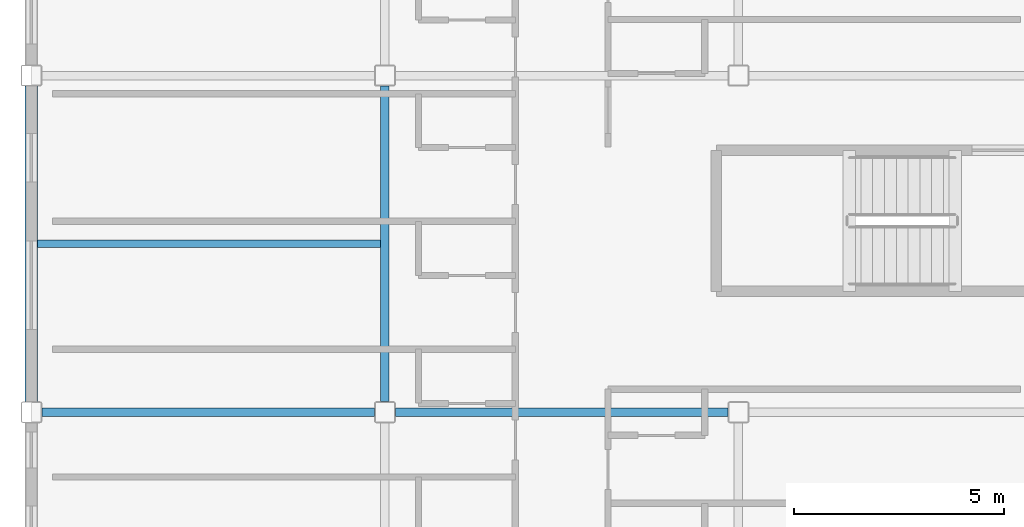
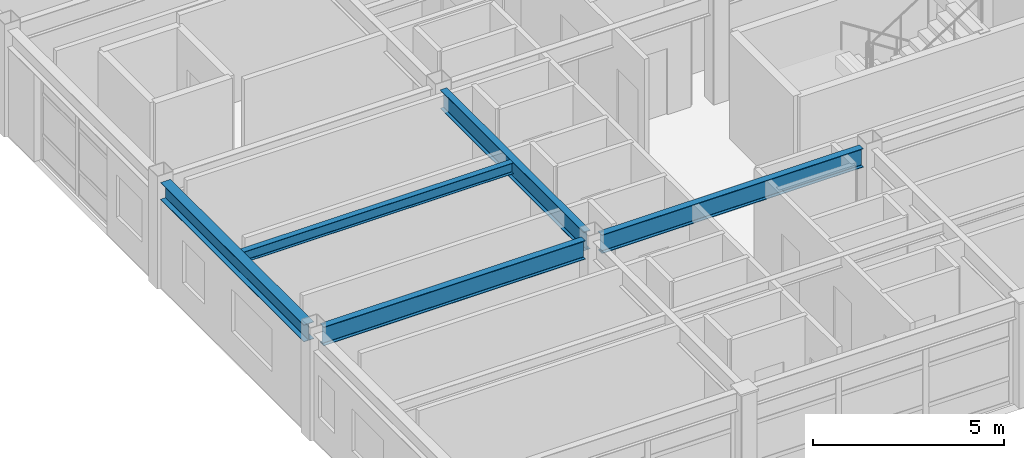
# One storey, part 5 of 33: 5 beams.
"""IFC4 building model written with IfcOpenShell, lengths in metres."""

from ifc_helpers import new_model, si_unit, direction, frame, origin, origin_2d, place, context, subcontext, project, spatial, i_section, extrude, material, material_profile, profile_set, type_object, element, save


model = new_model("IFC4")

# Units and contexts
model_context = context("Model", 3, precision=1e-05, world=origin(), true_north=direction((0.0, 1.0)))
body_context = subcontext(model_context, "Body", "Model", "MODEL_VIEW")
ifc_project = project(units=[si_unit("LENGTHUNIT", "METRE"), si_unit("AREAUNIT", "SQUARE_METRE"), si_unit("VOLUMEUNIT", "CUBIC_METRE"), si_unit("PLANEANGLEUNIT", "RADIAN"), si_unit("MASSUNIT", "GRAM", prefix="KILO")], contexts=[model_context])

# Site, building, storey
site_placement = place(None, origin())
site = spatial("IfcSite", under=ifc_project, at=site_placement, CompositionType="ELEMENT")
building_placement = place(site_placement, origin())
building = spatial("IfcBuilding", under=site, at=building_placement, Name="Kazehara Bluff Congress Hotel", CompositionType="ELEMENT")
storey_placement = place(building_placement, frame((0.0, 0.0, 39.0)))
storey = spatial("IfcBuildingStorey", under=building, at=storey_placement, Name="L09", CompositionType="ELEMENT", Elevation=39.0)

# Beams
ifc_material_1 = material(Name="Steel SN490B", Category="steel")
ifc_material_profile_1 = material_profile(ifc_material_1, i_section(OverallWidth=0.199951171875, OverallDepth=0.60009765625, WebThickness=0.010986328125, FlangeThickness=0.01708984375, FilletRadius=0.012939453125, at=origin_2d()))
ifc_profile_set_1 = profile_set([ifc_material_profile_1], Name="Steel SN490B")
beam_type_1 = type_object("IfcBeamType", Name="TP-G-02", PredefinedType="BEAM", material=ifc_profile_set_1)
beam_1_placement = place(storey_placement, frame((152.10009765625, 16.25, 3.080078125), z_axis=(0.0, 1.0, 0.0), x_axis=(-1.0, 0.0, 0.0)))
element("IfcBeam", 1, at=beam_1_placement, inside=storey, type_object=beam_type_1, Name="L09 girder G-02 12", PredefinedType="BEAM", context=body_context, shape_type="SweptSolid", body=[
    extrude(i_section(OverallWidth=0.199951171875, OverallDepth=0.60009765625, WebThickness=0.010986328125, FlangeThickness=0.01708984375, FilletRadius=0.012939453125, at=origin_2d()), origin(), (0.0, 0.0, 1.0), 7.5),
])
beam_2_placement = place(storey_placement, frame((143.949951171875, 16.0, 3.080078125), z_axis=(1.0, 0.0, 0.0), x_axis=(0.0, 1.0, 0.0)))
element("IfcBeam", 2, at=beam_2_placement, inside=storey, type_object=beam_type_1, Name="L09 girder G-02 39", PredefinedType="BEAM", context=body_context, shape_type="SweptSolid", body=[
    extrude(i_section(OverallWidth=0.199951171875, OverallDepth=0.60009765625, WebThickness=0.010986328125, FlangeThickness=0.01708984375, FilletRadius=0.012939453125, at=origin_2d()), origin(), (0.0, 0.0, 1.0), 7.900146484375),
])
beam_3_placement = place(storey_placement, frame((152.35009765625, 16.0, 3.080078125), z_axis=(1.0, 0.0, 0.0), x_axis=(0.0, 1.0, 0.0)))
element("IfcBeam", 3, at=beam_3_placement, inside=storey, type_object=beam_type_1, Name="L09 girder G-02 40", PredefinedType="BEAM", context=body_context, shape_type="SweptSolid", body=[
    extrude(i_section(OverallWidth=0.199951171875, OverallDepth=0.60009765625, WebThickness=0.010986328125, FlangeThickness=0.01708984375, FilletRadius=0.012939453125, at=origin_2d()), origin(), (0.0, 0.0, 1.0), 7.89990234375),
])
ifc_material_2 = material(Name="Steel SN400B", Category="steel")
ifc_material_profile_2 = material_profile(ifc_material_2, i_section(OverallWidth=0.175048828125, OverallDepth=0.35009765625, WebThickness=0.007080078125, FlangeThickness=0.010986328125, FilletRadius=0.012939453125, at=origin_2d()))
ifc_profile_set_2 = profile_set([ifc_material_profile_2], Name="Steel SN400B")
beam_type_2 = type_object("IfcBeamType", Name="TP-J-02", PredefinedType="JOIST", material=ifc_profile_set_2)
beam_4_placement = place(storey_placement, frame((143.85009765625, 20.0, 3.205078125), z_axis=(1.0, 0.0, 0.0), x_axis=(0.0, 1.0, 0.0)))
element("IfcBeam", 4, at=beam_4_placement, inside=storey, type_object=beam_type_2, Name="L09 secondary joist J-02 2", PredefinedType="JOIST", context=body_context, shape_type="SweptSolid", body=[
    extrude(i_section(OverallWidth=0.175048828125, OverallDepth=0.35009765625, WebThickness=0.007080078125, FlangeThickness=0.010986328125, FilletRadius=0.012939453125, at=origin_2d()), origin(), (0.0, 0.0, 1.0), 8.14990234375),
])
ifc_material_3 = material(Name="Steel SN490B", Category="steel")
ifc_material_profile_3 = material_profile(ifc_material_3, i_section(OverallWidth=0.300048828125, OverallDepth=0.550048828125, WebThickness=0.010986328125, FlangeThickness=0.01806640625, FilletRadius=0.012939453125, at=origin_2d()))
ifc_profile_set_3 = profile_set([ifc_material_profile_3], Name="Steel SN490B")
beam_type_3 = type_object("IfcBeamType", Name="TP-SP-01", PredefinedType="SPANDREL", material=ifc_profile_set_3)
beam_5_placement = place(storey_placement, frame((143.699951171875, 16.25, 3.10498046875), z_axis=(0.0, 1.0, 0.0), x_axis=(-1.0, 0.0, 0.0)))
element("IfcBeam", 5, at=beam_5_placement, inside=storey, type_object=beam_type_3, Name="L09 girder SP-01 2", PredefinedType="SPANDREL", context=body_context, shape_type="SweptSolid", body=[
    extrude(i_section(OverallWidth=0.300048828125, OverallDepth=0.550048828125, WebThickness=0.010986328125, FlangeThickness=0.01806640625, FilletRadius=0.012939453125, at=origin_2d()), origin(), (0.0, 0.0, 1.0), 7.5),
])

save(model, "model.ifc")
